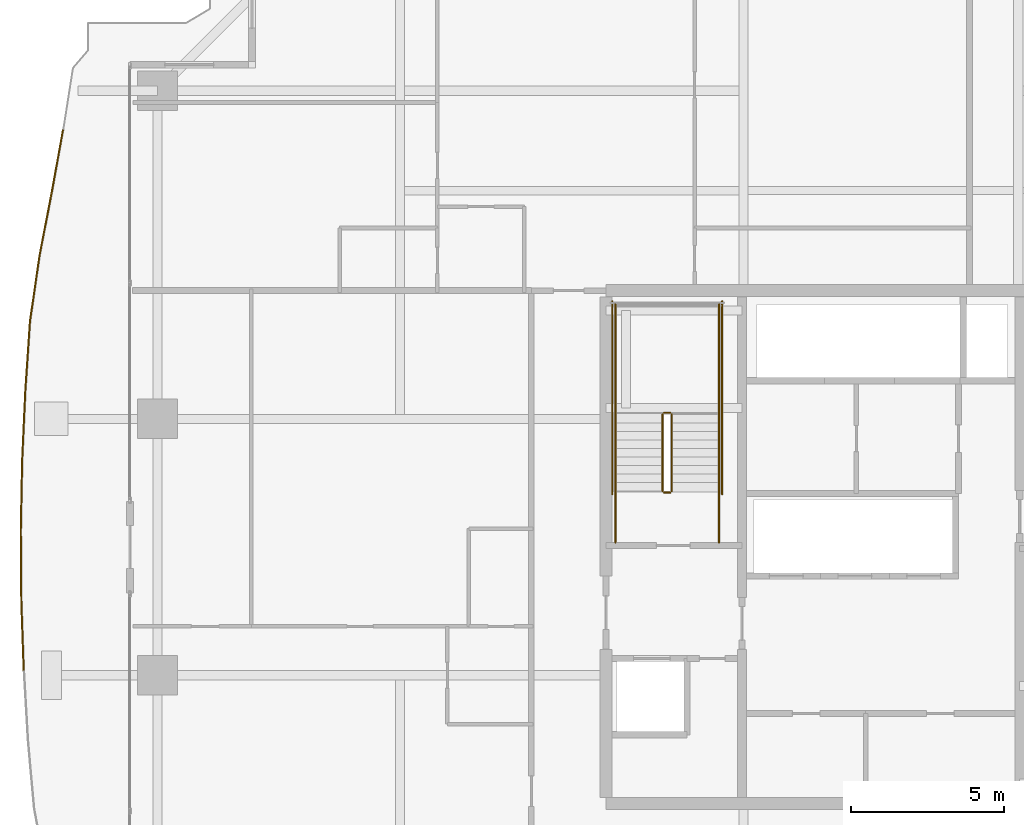
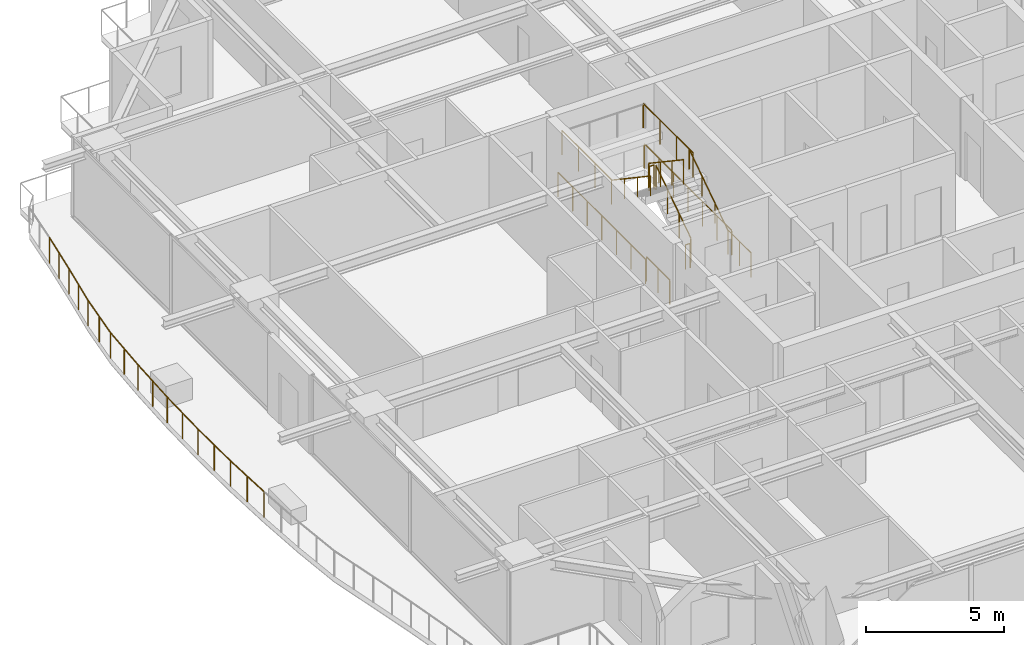
# One storey, part 35 of 39: 13 railings.
"""IFC4 building model written with IfcOpenShell, lengths in metres."""

from ifc_helpers import new_model, si_unit, direction, frame, origin, origin_2d, place, context, subcontext, project, spatial, circle, extrude, material, type_object, element, save


model = new_model("IFC4")

# Units and contexts
model_context = context("Model", 3, precision=1e-05, world=origin(), true_north=direction((0.0, 1.0)))
body_context = subcontext(model_context, "Body", "Model", "MODEL_VIEW")
ifc_project = project(units=[si_unit("LENGTHUNIT", "METRE"), si_unit("AREAUNIT", "SQUARE_METRE"), si_unit("VOLUMEUNIT", "CUBIC_METRE"), si_unit("PLANEANGLEUNIT", "RADIAN"), si_unit("MASSUNIT", "GRAM", prefix="KILO")], contexts=[model_context])

# Site, building, storey
site_placement = place(None, origin())
site = spatial("IfcSite", under=ifc_project, at=site_placement, CompositionType="ELEMENT")
building_placement = place(site_placement, origin())
building = spatial("IfcBuilding", under=site, at=building_placement, Name="Serunith Strait Residences", CompositionType="ELEMENT")
storey_placement = place(building_placement, frame((0.0, 0.0, 168.89990234375)))
storey = spatial("IfcBuildingStorey", under=building, at=storey_placement, Name="L42", CompositionType="ELEMENT", Elevation=168.89990234375)

# Railings
ifc_material_1 = material(Name="Stainless Steel & Laminated Glass Balustrade", Category="steel")
railing_type_1 = type_object("IfcRailingType", Name="RLG-BALC-1150", PredefinedType="BALUSTRADE", material=ifc_material_1)
railing_1_placement = place(storey_placement, frame((4.31787109375, 21.12841796875, -0.0498046875)))
element("IfcRailing", 1, at=railing_1_placement, inside=storey, type_object=railing_type_1, Name="L42 Swirling Balcony Perimeter Balustrade 2", PredefinedType="BALUSTRADE", context=body_context, shape_type="SweptSolid", body=[
    extrude(circle(Radius=0.02392578125, at=origin_2d()), frame((0.0, 0.001953125, 1.1259765625), z_axis=(-0.034202530023, 0.999414922312, 0.0), x_axis=(-0.999414922312, -0.034202530023, 0.0)), (0.0, 0.0, 1.0), 2.29443359375),
    extrude(circle(Radius=0.02392578125, at=origin_2d()), frame((-0.07861328125, 2.299072265625, 1.1259765625), z_axis=(-0.007612382515, 0.999971025396, 0.0), x_axis=(-0.999971025396, -0.007612382515, 0.0)), (0.0, 0.0, 1.0), 2.30517578125),
    extrude(circle(Radius=0.02392578125, at=origin_2d()), frame((-0.09619140625, 4.608154296875, 1.1259765625), z_axis=(0.019587472965, 0.999808147048, 0.0), x_axis=(-0.999808147048, 0.019587472965, 0.0)), (0.0, 0.0, 1.0), 2.3017578125),
    extrude(circle(Radius=0.02392578125, at=origin_2d()), frame((-0.051025390625, 6.91357421875, 1.1259765625), z_axis=(0.045102949257, 0.998982344172, 0.0), x_axis=(-0.998982344172, 0.045102949257, 0.0)), (0.0, 0.0, 1.0), 2.28564453125),
    extrude(circle(Radius=0.02392578125, at=origin_2d()), frame((0.052490234375, 9.200927734375, 1.1259765625), z_axis=(0.066998772592, 0.997753057861, 0.0), x_axis=(-0.997753057861, 0.066998772592, 0.0)), (0.0, 0.0, 1.0), 2.2587890625),
    extrude(circle(Radius=0.02392578125, at=origin_2d()), frame((0.2041015625, 11.458740234375, 1.1259765625), z_axis=(0.143690720478, 0.989622643662, 0.0), x_axis=(-0.989622643662, 0.143690720478, 0.0)), (0.0, 0.0, 1.0), 2.194580078125),
    extrude(circle(Radius=0.02392578125, at=origin_2d()), frame((0.520263671875, 13.634521484375, 1.1259765625), z_axis=(0.189793279794, 0.981824073317, 0.0), x_axis=(-0.981824073317, 0.189793279794, 0.0)), (0.0, 0.0, 1.0), 2.12109375),
    extrude(circle(Radius=0.02392578125, at=origin_2d()), frame((0.92333984375, 15.720947265625, 1.1259765625), z_axis=(0.177723745075, 0.984080418684, 0.0), x_axis=(-0.984080418684, 0.177723745075, 0.0)), (0.0, 0.0, 1.0), 2.067626953125),
    extrude(circle(Radius=0.02099609375, at=origin_2d()), origin(), (0.0, 0.0, 1.0), 1.099853515625),
    extrude(circle(Radius=0.02099609375, at=origin_2d()), frame((-0.039306640625, 1.1484375, 0.0)), (0.0, 0.0, 1.0), 1.099853515625),
    extrude(circle(Radius=0.02099609375, at=origin_2d()), frame((-0.07861328125, 2.297119140625, 0.0)), (0.0, 0.0, 1.0), 1.099853515625),
    extrude(circle(Radius=0.02099609375, at=origin_2d()), frame((-0.08740234375, 3.45166015625, 0.0)), (0.0, 0.0, 1.0), 1.099853515625),
    extrude(circle(Radius=0.02099609375, at=origin_2d()), frame((-0.09619140625, 4.606201171875, 0.0)), (0.0, 0.0, 1.0), 1.099853515625),
    extrude(circle(Radius=0.02099609375, at=origin_2d()), frame((-0.07373046875, 5.7587890625, 0.0)), (0.0, 0.0, 1.0), 1.099853515625),
    extrude(circle(Radius=0.02099609375, at=origin_2d()), frame((-0.051025390625, 6.91162109375, 0.0)), (0.0, 0.0, 1.0), 1.099853515625),
    extrude(circle(Radius=0.02099609375, at=origin_2d()), frame((0.00048828125, 8.05517578125, 0.0)), (0.0, 0.0, 1.0), 1.099853515625),
    extrude(circle(Radius=0.02099609375, at=origin_2d()), frame((0.05224609375, 9.198974609375, 0.0)), (0.0, 0.0, 1.0), 1.099853515625),
    extrude(circle(Radius=0.02099609375, at=origin_2d()), frame((0.1279296875, 10.327880859375, 0.0)), (0.0, 0.0, 1.0), 1.099853515625),
    extrude(circle(Radius=0.02099609375, at=origin_2d()), frame((0.203857421875, 11.456787109375, 0.0)), (0.0, 0.0, 1.0), 1.099853515625),
    extrude(circle(Radius=0.02099609375, at=origin_2d()), frame((0.36181640625, 12.544677734375, 0.0)), (0.0, 0.0, 1.0), 1.099853515625),
    extrude(circle(Radius=0.02099609375, at=origin_2d()), frame((0.519775390625, 13.632568359375, 0.0)), (0.0, 0.0, 1.0), 1.099853515625),
    extrude(circle(Radius=0.02099609375, at=origin_2d()), frame((0.721435546875, 14.67578125, 0.0)), (0.0, 0.0, 1.0), 1.099853515625),
    extrude(circle(Radius=0.02099609375, at=origin_2d()), frame((0.923095703125, 15.718994140625, 0.0)), (0.0, 0.0, 1.0), 1.099853515625),
    extrude(circle(Radius=0.02099609375, at=origin_2d()), frame((1.107177734375, 16.73828125, 0.0)), (0.0, 0.0, 1.0), 1.099853515625),
    extrude(circle(Radius=0.02099609375, at=origin_2d()), frame((1.291259765625, 17.757568359375, 0.0)), (0.0, 0.0, 1.0), 1.099853515625),
])
ifc_material_2 = material(Name="Brushed stainless steel 316L", Category="steel")
railing_type_2 = type_object("IfcRailingType", Name="RLG-STAIR-GUARD", PredefinedType="BALUSTRADE", material=ifc_material_2)
railing_2_placement = place(storey_placement, frame((25.550048828125, 27.030029296875, 0.1875)))
element("IfcRailing", 2, at=railing_2_placement, inside=storey, type_object=railing_type_2, Name="L42 ST-1 stair guard 1", PredefinedType="BALUSTRADE", context=body_context, shape_type="SweptSolid", body=[
    extrude(circle(Radius=0.02392578125, at=origin_2d()), frame((0.0, 0.001708984375, 1.0771484375), z_axis=(0.0, 0.830909170722, 0.55640807867), x_axis=(-1.0, 0.0, 0.0)), (0.0, 0.0, 1.0), 3.02880859375),
    extrude(circle(Radius=0.02099609375, at=origin_2d()), origin(), (0.0, 0.0, 1.0), 1.050048828125),
    extrude(circle(Radius=0.02099609375, at=origin_2d()), frame((0.0, 0.840087890625, 0.5625)), (0.0, 0.0, 1.0), 1.050048828125),
    extrude(circle(Radius=0.02099609375, at=origin_2d()), frame((0.0, 1.679931640625, 1.125)), (0.0, 0.0, 1.0), 1.050048828125),
    extrude(circle(Radius=0.02099609375, at=origin_2d()), frame((0.0, 2.52001953125, 1.6875)), (0.0, 0.0, 1.0), 1.050048828125),
])
railing_3_placement = place(storey_placement, frame((25.5, 29.60009765625, 1.875)))
element("IfcRailing", 3, at=railing_3_placement, inside=storey, type_object=railing_type_2, Name="L42 ST-1 stair guard 2", PredefinedType="BALUSTRADE", context=body_context, shape_type="SweptSolid", body=[
    extrude(circle(Radius=0.02392578125, at=origin_2d()), frame((-0.001953125, 0.0, 1.076171875), z_axis=(-1.0, 0.0, 0.0), x_axis=(0.0, -1.0, 0.0)), (0.0, 0.0, 1.0), 0.196044921875),
    extrude(circle(Radius=0.02099609375, at=origin_2d()), origin(), (0.0, 0.0, 1.0), 1.050048828125),
    extrude(circle(Radius=0.02099609375, at=origin_2d()), frame((-0.199951171875, 0.0, 0.0)), (0.0, 0.0, 1.0), 1.050048828125),
])
for number, where, name in (
    (4, (27.10009765625, 29.550048828125, 1.875), "L42 ST-1 stair guard 3"),
    (5, (23.699951171875, 29.550048828125, 1.875), "L42 ST-1 stair guard 4"),
):
    element("IfcRailing", number, at=place(storey_placement, frame(where)), inside=storey, type_object=railing_type_2, Name=name, PredefinedType="BALUSTRADE", context=body_context, shape_type="SweptSolid", body=[
        extrude(circle(Radius=0.02392578125, at=origin_2d()), frame((0.0, 0.001953125, 1.076171875), z_axis=(0.0, 1.0, 0.0), x_axis=(-1.0, 0.0, 0.0)), (0.0, 0.0, 1.0), 3.595947265625),
        extrude(circle(Radius=0.02099609375, at=origin_2d()), origin(), (0.0, 0.0, 1.0), 1.050048828125),
        extrude(circle(Radius=0.02099609375, at=origin_2d()), frame((0.0, 1.199951171875, 0.0)), (0.0, 0.0, 1.0), 1.050048828125),
        extrude(circle(Radius=0.02099609375, at=origin_2d()), frame((0.0, 2.39990234375, 0.0)), (0.0, 0.0, 1.0), 1.050048828125),
        extrude(circle(Radius=0.02099609375, at=origin_2d()), frame((0.0, 3.599853515625, 0.0)), (0.0, 0.0, 1.0), 1.050048828125),
    ])
railing_4_placement = place(storey_placement, frame((25.25, 29.550048828125, 2.0625)))
element("IfcRailing", 6, at=railing_4_placement, inside=storey, type_object=railing_type_2, Name="L42 ST-1 stair guard 6", PredefinedType="BALUSTRADE", context=body_context, shape_type="SweptSolid", body=[
    extrude(circle(Radius=0.02392578125, at=origin_2d()), frame((0.0, -0.001708984375, 1.0771484375), z_axis=(0.0, -0.830909170722, 0.55640807867), x_axis=(1.0, 0.0, 0.0)), (0.0, 0.0, 1.0), 3.02880859375),
    extrude(circle(Radius=0.02099609375, at=origin_2d()), origin(), (0.0, 0.0, 1.0), 1.050048828125),
    extrude(circle(Radius=0.02099609375, at=origin_2d()), frame((0.0, -0.840087890625, 0.5625)), (0.0, 0.0, 1.0), 1.050048828125),
    extrude(circle(Radius=0.02099609375, at=origin_2d()), frame((0.0, -1.679931640625, 1.125)), (0.0, 0.0, 1.0), 1.050048828125),
    extrude(circle(Radius=0.02099609375, at=origin_2d()), frame((0.0, -2.52001953125, 1.6875)), (0.0, 0.0, 1.0), 1.050048828125),
])
railing_5_placement = place(storey_placement, frame((25.5, 26.97998046875, 0.0)))
element("IfcRailing", 7, at=railing_5_placement, inside=storey, type_object=railing_type_2, Name="L42 ST-1 stair guard 7", PredefinedType="BALUSTRADE", context=body_context, shape_type="SweptSolid", body=[
    extrude(circle(Radius=0.02392578125, at=origin_2d()), frame((-0.001953125, 0.0, 1.076171875), z_axis=(-1.0, 0.0, 0.0), x_axis=(0.0, -1.0, 0.0)), (0.0, 0.0, 1.0), 0.196044921875),
    extrude(circle(Radius=0.02099609375, at=origin_2d()), origin(), (0.0, 0.0, 1.0), 1.050048828125),
    extrude(circle(Radius=0.02099609375, at=origin_2d()), frame((-0.199951171875, 0.0, 0.0)), (0.0, 0.0, 1.0), 1.050048828125),
])
for number, where, name in (
    (8, (27.10009765625, 25.35009765625, 0.0), "L42 ST-1 stair guard 8"),
    (9, (23.699951171875, 25.35009765625, 0.0), "L42 ST-1 stair guard 9"),
):
    element("IfcRailing", number, at=place(storey_placement, frame(where)), inside=storey, type_object=railing_type_2, Name=name, PredefinedType="BALUSTRADE", context=body_context, shape_type="SweptSolid", body=[
        extrude(circle(Radius=0.02392578125, at=origin_2d()), frame((0.0, 0.001953125, 1.076171875), z_axis=(0.0, 1.0, 0.0), x_axis=(-1.0, 0.0, 0.0)), (0.0, 0.0, 1.0), 1.676025390625),
        extrude(circle(Radius=0.02099609375, at=origin_2d()), origin(), (0.0, 0.0, 1.0), 1.050048828125),
        extrude(circle(Radius=0.02099609375, at=origin_2d()), frame((0.0, 0.83984375, 0.0)), (0.0, 0.0, 1.0), 1.050048828125),
        extrude(circle(Radius=0.02099609375, at=origin_2d()), frame((0.0, 1.679931640625, 0.0)), (0.0, 0.0, 1.0), 1.050048828125),
    ])
for number, where, name in (
    (10, (27.199951171875, 26.929931640625, 0.0), "L42 ST-1 stair guard 10"),
    (11, (23.60009765625, 26.929931640625, 0.0), "L42 ST-1 stair guard 11"),
):
    element("IfcRailing", number, at=place(storey_placement, frame(where)), inside=storey, type_object=railing_type_2, Name=name, PredefinedType="BALUSTRADE", context=body_context, shape_type="SweptSolid", body=[
        extrude(circle(Radius=0.02392578125, at=origin_2d()), frame((0.0, 0.001953125, 1.076171875), z_axis=(0.0, 1.0, 0.0), x_axis=(-1.0, 0.0, 0.0)), (0.0, 0.0, 1.0), 6.316162109375),
        extrude(circle(Radius=0.02099609375, at=origin_2d()), origin(), (0.0, 0.0, 1.0), 1.050048828125),
        extrude(circle(Radius=0.02099609375, at=origin_2d()), frame((0.0, 1.05322265625, 0.0)), (0.0, 0.0, 1.0), 1.050048828125),
        extrude(circle(Radius=0.02099609375, at=origin_2d()), frame((0.0, 2.106689453125, 0.0)), (0.0, 0.0, 1.0), 1.050048828125),
        extrude(circle(Radius=0.02099609375, at=origin_2d()), frame((0.0, 3.16015625, 0.0)), (0.0, 0.0, 1.0), 1.050048828125),
        extrude(circle(Radius=0.02099609375, at=origin_2d()), frame((0.0, 4.21337890625, 0.0)), (0.0, 0.0, 1.0), 1.050048828125),
        extrude(circle(Radius=0.02099609375, at=origin_2d()), frame((0.0, 5.2666015625, 0.0)), (0.0, 0.0, 1.0), 1.050048828125),
        extrude(circle(Radius=0.02099609375, at=origin_2d()), frame((0.0, 6.320068359375, 0.0)), (0.0, 0.0, 1.0), 1.050048828125),
    ])
railing_type_3 = type_object("IfcRailingType", Name="RLG-STAIR-HR", PredefinedType="HANDRAIL", material=ifc_material_2)
railing_6_placement = place(storey_placement, frame((27.10009765625, 27.030029296875, 0.1875)))
element("IfcRailing", 12, at=railing_6_placement, inside=storey, type_object=railing_type_3, Name="L42 ST-1 stair handrail 1", PredefinedType="HANDRAIL", context=body_context, shape_type="SweptSolid", body=[
    extrude(circle(Radius=0.02392578125, at=origin_2d()), frame((0.0, 0.001708984375, 0.876953125), z_axis=(0.0, 0.830208209119, 0.557453432594), x_axis=(-1.0, 0.0, 0.0)), (0.0, 0.0, 1.0), 3.36865234375),
    extrude(circle(Radius=0.02099609375, at=origin_2d()), origin(), (0.0, 0.0, 1.0), 0.849853515625),
    extrude(circle(Radius=0.02099609375, at=origin_2d()), frame((0.0, 0.933349609375, 0.626708984375)), (0.0, 0.0, 1.0), 0.849853515625),
    extrude(circle(Radius=0.02099609375, at=origin_2d()), frame((0.0, 1.86669921875, 1.25341796875)), (0.0, 0.0, 1.0), 0.849853515625),
    extrude(circle(Radius=0.02099609375, at=origin_2d()), frame((0.0, 2.800048828125, 1.880126953125)), (0.0, 0.0, 1.0), 0.849853515625),
])
railing_7_placement = place(storey_placement, frame((23.699951171875, 29.550048828125, 2.0625)))
element("IfcRailing", 13, at=railing_7_placement, inside=storey, type_object=railing_type_3, Name="L42 ST-1 stair handrail 2", PredefinedType="HANDRAIL", context=body_context, shape_type="SweptSolid", body=[
    extrude(circle(Radius=0.02392578125, at=origin_2d()), frame((0.0, -0.001708984375, 0.876953125), z_axis=(0.0, -0.830208209119, 0.557453432594), x_axis=(1.0, 0.0, 0.0)), (0.0, 0.0, 1.0), 3.36865234375),
    extrude(circle(Radius=0.02099609375, at=origin_2d()), origin(), (0.0, 0.0, 1.0), 0.849853515625),
    extrude(circle(Radius=0.02099609375, at=origin_2d()), frame((0.0, -0.933349609375, 0.626708984375)), (0.0, 0.0, 1.0), 0.849853515625),
    extrude(circle(Radius=0.02099609375, at=origin_2d()), frame((0.0, -1.86669921875, 1.25341796875)), (0.0, 0.0, 1.0), 0.849853515625),
    extrude(circle(Radius=0.02099609375, at=origin_2d()), frame((0.0, -2.800048828125, 1.880126953125)), (0.0, 0.0, 1.0), 0.849853515625),
])

save(model, "model.ifc")
